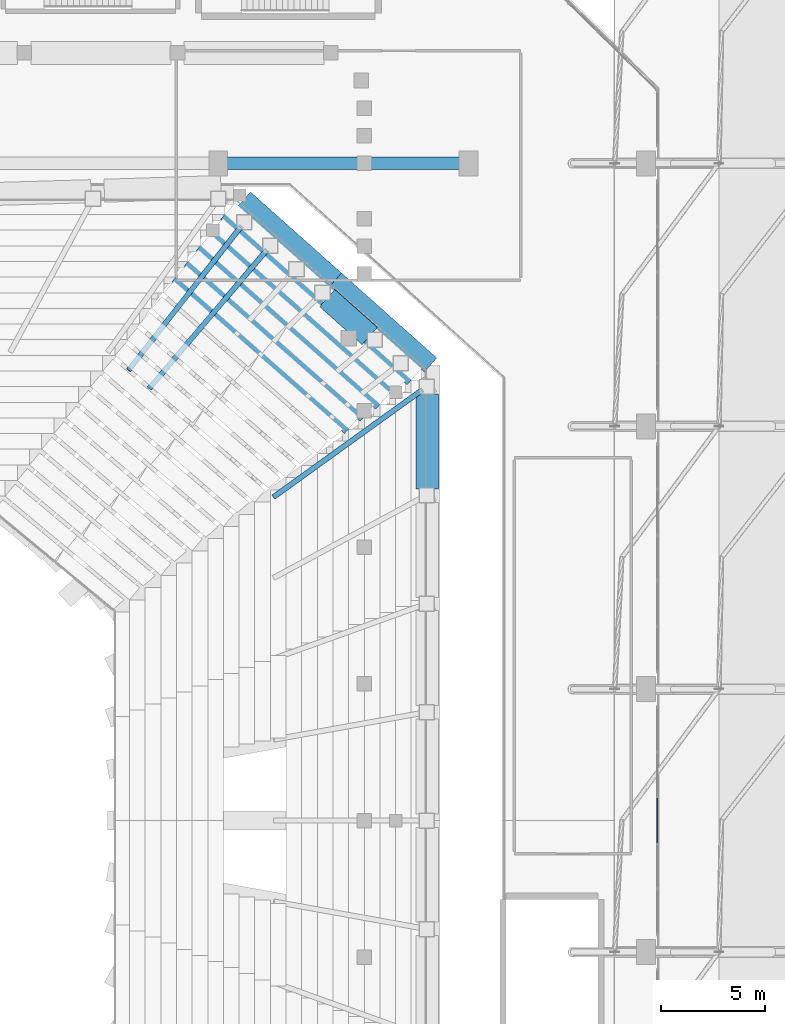
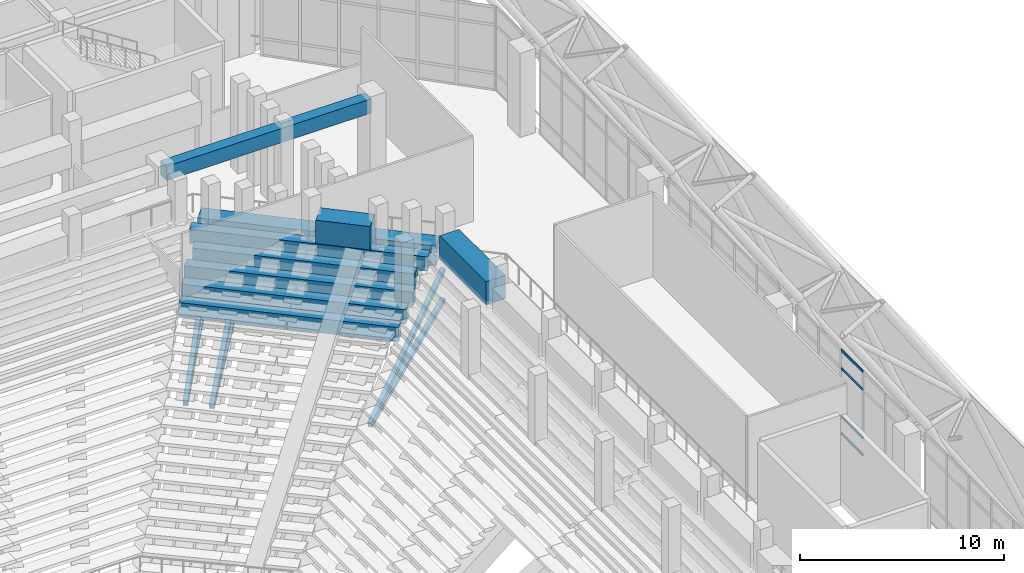
# One storey, part 52 of 159: 10 beams, 10 members, 1 element without a shape of its own.
"""IFC4 building model written with IfcOpenShell, lengths in metres."""

import ifcopenshell
import ifcopenshell.guid

model = None  # the IFC model being written
_history = None  # IfcOwnerHistory: only IFC2X3 demands one
_inside = {}  # id of a spatial element -> (the spatial element, [elements in it])
_under = {}  # id of a project, library or spatial element -> (it, [spatial elements below it])
_declared = {}  # id of a project -> (the project, [libraries it declares])
_typed = {}  # id of a type object -> (the type object, [elements of that type])
_made_of = {}  # id of a material, layer set ... -> (it, [elements and type objects made of it])


def new_model(schema):
    """Start an empty IFC model of exactly this schema.

    Asked for "IFC4X3", IfcOpenShell would pick the latest addendum, in which some entities
    have other attributes; the version numbers below select the first issue.
    IFC2X3 requires an IfcOwnerHistory on every rooted entity: one is made here for all.
    """
    global model, _history
    if schema == "IFC4X3":
        model = ifcopenshell.file(schema_version=(4, 3, 0, 0))
    else:
        model = ifcopenshell.file(schema=schema)
    _inside.clear()
    _under.clear()
    _declared.clear()
    _typed.clear()
    _made_of.clear()
    _history = None
    if model.schema == "IFC2X3":
        org = make("IfcOrganization", Name="unknown")
        user = make(
            "IfcPersonAndOrganization",
            ThePerson=make("IfcPerson", FamilyName="unknown"),
            TheOrganization=org,
        )
        app = make(
            "IfcApplication",
            ApplicationDeveloper=org,
            Version="unknown",
            ApplicationFullName="unknown",
            ApplicationIdentifier="unknown",
        )
        _history = make(
            "IfcOwnerHistory",
            OwningUser=user,
            OwningApplication=app,
            ChangeAction="ADDED",
            CreationDate=0,
        )
    return model


def make(cls, **values):
    """One entity of the class cls with the attributes given. An attribute that is None is left unset."""
    return model.create_entity(
        cls, **{name: value for name, value in values.items() if value is not None}
    )


def rooted(cls, **values):
    """An entity with a GlobalId (a new one), such as an element, a storey or a relation."""
    return make(cls, GlobalId=ifcopenshell.guid.new(), OwnerHistory=_history, **values)


def si_unit(unit_type, name, prefix=None):
    """IfcSIUnit, for example si_unit("LENGTHUNIT", "METRE", prefix="MILLI")."""
    return make("IfcSIUnit", UnitType=unit_type, Prefix=prefix, Name=name)


def derived_unit(unit_type, elements):
    """IfcDerivedUnit: a product of units, each with its exponent."""
    return make(
        "IfcDerivedUnit",
        Elements=[
            make("IfcDerivedUnitElement", Unit=unit, Exponent=power)
            for unit, power in elements
        ],
        UnitType=unit_type,
    )


def assignment(units):
    """IfcUnitAssignment: the units of a project."""
    return None if units is None else make("IfcUnitAssignment", Units=units)


def point(xyz):
    """IfcCartesianPoint."""
    return None if xyz is None else make("IfcCartesianPoint", Coordinates=xyz)


def direction(xyz):
    """IfcDirection."""
    return None if xyz is None else make("IfcDirection", DirectionRatios=xyz)


def frame(location, z_axis=None, x_axis=None):
    """IfcAxis2Placement3D, a coordinate frame: its origin and axes. An axis left out is left unset."""
    return make(
        "IfcAxis2Placement3D",
        Location=point(location),
        Axis=direction(z_axis),
        RefDirection=direction(x_axis),
    )


def frame_2d(location, x_axis=None):
    """IfcAxis2Placement2D, a coordinate frame in the plane: its origin and x axis."""
    return make(
        "IfcAxis2Placement2D", Location=point(location), RefDirection=direction(x_axis)
    )


def origin():
    """The frame at (0, 0, 0) with its axes left unset."""
    return frame((0.0, 0.0, 0.0))


def origin_2d():
    """The frame at (0, 0) in the plane with its x axis left unset."""
    return frame_2d((0.0, 0.0))


def place(relative_to, where):
    """IfcLocalPlacement: puts the frame where relative to a parent placement (None: the world)."""
    return make(
        "IfcLocalPlacement", PlacementRelTo=relative_to, RelativePlacement=where
    )


def context(
    kind, dimensions, precision=None, world=None, true_north=None, identifier=None
):
    """IfcGeometricRepresentationContext, for example the 3D "Model" context."""
    return make(
        "IfcGeometricRepresentationContext",
        ContextIdentifier=identifier,
        ContextType=kind,
        CoordinateSpaceDimension=dimensions,
        Precision=precision,
        WorldCoordinateSystem=world,
        TrueNorth=true_north,
    )


def subcontext(parent, identifier, kind, view, scale=None):
    """IfcGeometricRepresentationSubContext, for example "Body" below "Model"."""
    return make(
        "IfcGeometricRepresentationSubContext",
        ContextIdentifier=identifier,
        ContextType=kind,
        ParentContext=parent,
        TargetScale=scale,
        TargetView=view,
    )


def project(units=None, contexts=None):
    """IfcProject with its units and contexts."""
    return rooted(
        "IfcProject",
        Name="project",
        RepresentationContexts=contexts,
        UnitsInContext=assignment(units),
    )


def spatial(cls, under=None, at=None, **own):
    """A site, building, storey or space (cls), placed at a placement, below another one or the project."""
    s = rooted(cls, ObjectPlacement=at, **own)
    if under is not None:
        _under.setdefault(under.id(), (under, []))[1].append(s)
    return s


def profile(cls, at=None, kind="AREA", **sizes):
    """A parametric profile (cls). Its sizes go by their IFC names, for example OverallWidth=200.0."""
    return make(cls, ProfileType=kind, Position=at, **sizes)


def rectangle(**sizes):
    """IfcRectangleProfileDef."""
    return profile("IfcRectangleProfileDef", **sizes)


def hollow_rectangle(**sizes):
    """IfcRectangleHollowProfileDef."""
    return profile("IfcRectangleHollowProfileDef", **sizes)


def extrude(swept, where, along, depth):
    """IfcExtrudedAreaSolid: the profile swept, set in the frame where, extruded along a direction by depth."""
    return make(
        "IfcExtrudedAreaSolid",
        SweptArea=swept,
        Position=where,
        ExtrudedDirection=direction(along),
        Depth=depth,
    )


def shape(context_of_items, identifier, shape_type, items):
    """IfcShapeRepresentation: the items that make up one representation, for example the "Body"."""
    return make(
        "IfcShapeRepresentation",
        ContextOfItems=context_of_items,
        RepresentationIdentifier=identifier,
        RepresentationType=shape_type,
        Items=items,
    )


def material(Name=None, Category=None):
    """IfcMaterial."""
    return make("IfcMaterial", Name=Name, Category=Category)


def layer(
    of_material, thickness, ventilated=None, Name=None, Category=None, Priority=None
):
    """IfcMaterialLayer: one layer of a wall or slab, of a material (None: an air gap)."""
    return make(
        "IfcMaterialLayer",
        Material=of_material,
        LayerThickness=thickness,
        IsVentilated=ventilated,
        Name=Name,
        Category=Category,
        Priority=Priority,
    )


def layer_set(layers, Name=None):
    """IfcMaterialLayerSet."""
    return make("IfcMaterialLayerSet", MaterialLayers=layers, LayerSetName=Name)


def material_profile(
    of_material, cross_section, Name=None, Category=None, Priority=None
):
    """IfcMaterialProfile: a cross section and its material."""
    return make(
        "IfcMaterialProfile",
        Name=Name,
        Material=of_material,
        Profile=cross_section,
        Priority=Priority,
        Category=Category,
    )


def profile_set(profiles, Name=None, composite=None):
    """IfcMaterialProfileSet."""
    return make(
        "IfcMaterialProfileSet",
        Name=Name,
        MaterialProfiles=profiles,
        CompositeProfile=composite,
    )


def made_of(thing, what):
    """Note that an element or type object is made of a material, layer set ...; save() writes the relation."""
    if what is not None:
        _made_of.setdefault(what.id(), (what, []))[1].append(thing)
    return thing


def type_object(cls, material=None, **own):
    """A type object (cls), such as IfcWallType, which elements share."""
    return made_of(rooted(cls, **own), material)


def element(
    cls,
    number,
    at=None,
    inside=None,
    cuts=None,
    type_object=None,
    material=None,
    context=None,
    identifier="Body",
    shape_type=None,
    held_by="IfcProductDefinitionShape",
    body=None,
    shapes=None,
    **own,
):
    """One element of the class cls, such as IfcWall. Its Tag is "e" and its number.

    at: its placement. inside: the storey or other place that contains it. cuts: it is an
    opening in that element (IfcRelVoidsElement). A single representation is given by context,
    identifier, shape_type and body (its items); several are given by shapes. held_by: the class
    of the entity that holds the representations. save() writes the other relations.
    """
    e = rooted(cls, Tag="e%d" % number, ObjectPlacement=at, **own)
    if body is not None:
        shapes = [shape(context, identifier, shape_type, body)]
    if shapes is not None:
        e.Representation = make(held_by, Representations=shapes)
    if inside is not None:
        _inside.setdefault(inside.id(), (inside, []))[1].append(e)
    if cuts is not None:
        rooted(
            "IfcRelVoidsElement", RelatingBuildingElement=cuts, RelatedOpeningElement=e
        )
    if type_object is not None:
        _typed.setdefault(type_object.id(), (type_object, []))[1].append(e)
    return made_of(e, material)


def aggregate(whole, parts):
    """IfcRelAggregates: a whole, such as a stair, and the parts it consists of."""
    return rooted("IfcRelAggregates", RelatingObject=whole, RelatedObjects=parts)


def save(model, path):
    """Write the relations noted so far, then the file.

    IfcRelAggregates (storeys below a building ...), IfcRelContainedInSpatialStructure (elements
    in a storey), IfcRelDefinesByType, IfcRelAssociatesMaterial and IfcRelDeclares: one each for
    every whole, place, type object, material and project.
    """
    for whole, parts in _under.values():
        aggregate(whole, parts)
    for where, things in _inside.values():
        rooted(
            "IfcRelContainedInSpatialStructure",
            RelatedElements=things,
            RelatingStructure=where,
        )
    for kind, things in _typed.values():
        rooted("IfcRelDefinesByType", RelatedObjects=things, RelatingType=kind)
    for what, things in _made_of.values():
        rooted("IfcRelAssociatesMaterial", RelatedObjects=things, RelatingMaterial=what)
    for by, libraries in _declared.values():
        rooted("IfcRelDeclares", RelatingContext=by, RelatedDefinitions=libraries)
    model.write(path)


model = new_model("IFC4")

# Units and contexts
model_context = context("Model", 3, precision=1e-05, world=origin(), true_north=direction((0.0, 1.0)))
body_context = subcontext(model_context, "Body", "Model", "MODEL_VIEW")
ifc_project = project(units=[si_unit("LENGTHUNIT", "METRE"), si_unit("AREAUNIT", "SQUARE_METRE"), si_unit("VOLUMEUNIT", "CUBIC_METRE"), si_unit("PLANEANGLEUNIT", "RADIAN"), si_unit("MASSUNIT", "GRAM", prefix="KILO"), derived_unit("THERMALTRANSMITTANCEUNIT", [(si_unit("MASSUNIT", "GRAM", prefix="KILO"), 1), (si_unit("TIMEUNIT", "SECOND"), -3), (si_unit("THERMODYNAMICTEMPERATUREUNIT", "KELVIN"), -1)])], contexts=[model_context])

# Site, building, storey
site_placement = place(None, origin())
site = spatial("IfcSite", under=ifc_project, at=site_placement, CompositionType="ELEMENT")
building_placement = place(site_placement, origin())
building = spatial("IfcBuilding", under=site, at=building_placement, Name="Valcora Ridge Arena", CompositionType="ELEMENT")
storey_placement = place(building_placement, frame((0.0, 0.0, 6.0)))
storey = spatial("IfcBuildingStorey", under=building, at=storey_placement, Name="L01", CompositionType="ELEMENT", Elevation=6.0)

# Beams
ifc_material_1 = material(Name="Concrete C40/50", Category="concrete")
ifc_material_profile_1 = material_profile(ifc_material_1, rectangle(XDim=0.60009765625, YDim=0.85009765625, at=origin_2d()), Name="RC 600x850")
ifc_profile_set_1 = profile_set([ifc_material_profile_1], Name="Concrete C40/50")
beam_type_1 = type_object("IfcBeamType", Name="TY-BEAM-B-RC600-X", PredefinedType="BEAM", material=ifc_profile_set_1)
beam_1_placement = place(storey_placement, frame((88.25, 82.875, 0.574951171875), z_axis=(-0.751029040329, 0.660269172825, 0.0), x_axis=(-0.660269172825, -0.751029040329, 0.0)))
element("IfcBeam", 1, at=beam_1_placement, inside=storey, type_object=beam_type_1, Name="B-RC600-X BEM-R2-B-RC600-X-0174", PredefinedType="BEAM", context=body_context, shape_type="SweptSolid", body=[
    extrude(rectangle(XDim=0.60009765625, YDim=0.85009765625, at=origin_2d()), origin(), (0.0, 0.0, 1.0), 11.01806640625),
])
beam_2_placement = place(storey_placement, frame((89.0, 83.4599609375, 1.014892578125), z_axis=(-0.750149332152, 0.661268462481, 0.0), x_axis=(-0.661268462481, -0.750149332152, 0.0)))
element("IfcBeam", 2, at=beam_2_placement, inside=storey, type_object=beam_type_1, Name="B-RC600-X BEM-R2-B-RC600-X-0186", PredefinedType="BEAM", context=body_context, shape_type="SweptSolid", body=[
    extrude(rectangle(XDim=0.60009765625, YDim=0.85009765625, at=origin_2d()), origin(), (0.0, 0.0, 1.0), 11.2509765625),
])
beam_3_placement = place(storey_placement, frame((89.75, 84.044921875, 1.455078125), z_axis=(-0.749304061894, 0.662226111558, 0.0), x_axis=(-0.662226111558, -0.749304061894, 0.0)))
element("IfcBeam", 3, at=beam_3_placement, inside=storey, type_object=beam_type_1, Name="B-RC600-X BEM-R2-B-RC600-X-0198", PredefinedType="BEAM", context=body_context, shape_type="SweptSolid", body=[
    extrude(rectangle(XDim=0.60009765625, YDim=0.85009765625, at=origin_2d()), origin(), (0.0, 0.0, 1.0), 11.48388671875),
])
beam_4_placement = place(storey_placement, frame((90.290283203125, 84.815673828125, 1.89501953125), z_axis=(-0.748479246589, 0.663158214475, 0.0), x_axis=(-0.663158214475, -0.748479246589, 0.0)))
element("IfcBeam", 4, at=beam_4_placement, inside=storey, type_object=beam_type_1, Name="B-RC600-X BEM-R2-B-RC600-X-0210", PredefinedType="BEAM", context=body_context, shape_type="SweptSolid", body=[
    extrude(rectangle(XDim=0.60009765625, YDim=0.85009765625, at=origin_2d()), origin(), (0.0, 0.0, 1.0), 11.15673828125),
])
beam_5_placement = place(storey_placement, frame((91.25, 85.215087890625, 2.3349609375), z_axis=(-0.747719218895, 0.664015037251, 0.0), x_axis=(-0.664015037251, -0.747719218895, 0.0)))
element("IfcBeam", 5, at=beam_5_placement, inside=storey, type_object=beam_type_1, Name="B-RC600-X BEM-R2-B-RC600-X-0222", PredefinedType="BEAM", context=body_context, shape_type="SweptSolid", body=[
    extrude(rectangle(XDim=0.60009765625, YDim=0.85009765625, at=origin_2d()), origin(), (0.0, 0.0, 1.0), 11.94970703125),
])
ifc_material_profile_2 = material_profile(ifc_material_1, rectangle(XDim=0.60009765625, YDim=0.85009765625, at=origin_2d()), Name="RC 600x850")
ifc_profile_set_2 = profile_set([ifc_material_profile_2], Name="Concrete C40/50")
beam_type_2 = type_object("IfcBeamType", Name="TY-BEAM-EB-RC600", PredefinedType="BEAM", material=ifc_profile_set_2)
beam_6_placement = place(storey_placement, frame((82.199951171875, 95.60009765625, 4.614990234375), z_axis=(1.0, 0.0, 0.0), x_axis=(0.0, 1.0, 0.0)))
element("IfcBeam", 6, at=beam_6_placement, inside=storey, type_object=beam_type_2, Name="EB-RC600 BEM-EB-RC600-0030", PredefinedType="BEAM", context=body_context, shape_type="SweptSolid", body=[
    extrude(rectangle(XDim=0.60009765625, YDim=0.85009765625, at=origin_2d()), origin(), (0.0, 0.0, 1.0), 11.60009765625),
])
ifc_material_2 = material(Name="Concrete C45/55", Category="concrete")
ifc_material_profile_3 = material_profile(ifc_material_2, rectangle(XDim=0.89990234375, YDim=1.199951171875, at=origin_2d()), Name="RC 900x1200")
ifc_profile_set_3 = profile_set([ifc_material_profile_3], Name="Concrete C45/55")
beam_type_3 = type_object("IfcBeamType", Name="TY-BEAM-RKR-RING-850", PredefinedType="USERDEFINED", material=ifc_profile_set_3)
beam_7_placement = place(storey_placement, frame((92.179931640625, 85.9404296875, 2.159912109375), z_axis=(-0.746779446609, 0.665071769151, 0.0), x_axis=(-0.665071769151, -0.746779446609, 0.0)))
element("IfcBeam", 7, at=beam_7_placement, inside=storey, type_object=beam_type_3, Name="RKR-RING-850 BEM-R2-RKR-RING-850-0007", ObjectType="RAKER", PredefinedType="USERDEFINED", context=body_context, shape_type="SweptSolid", body=[
    extrude(rectangle(XDim=0.89990234375, YDim=1.199951171875, at=origin_2d()), origin(), (0.0, 0.0, 1.0), 6.119384765625),
])
beam_8_placement = place(storey_placement, frame((87.610107421875, 90.01025390625, 2.159912109375), z_axis=(-0.746774614076, 0.665077195348, 0.0), x_axis=(-0.665077195348, -0.746774614076, 0.0)))
element("IfcBeam", 8, at=beam_8_placement, inside=storey, type_object=beam_type_3, Name="RKR-RING-850 BEM-R2-RKR-RING-850-0008", ObjectType="RAKER", PredefinedType="USERDEFINED", context=body_context, shape_type="SweptSolid", body=[
    extrude(rectangle(XDim=0.89990234375, YDim=1.199951171875, at=origin_2d()), origin(), (0.0, 0.0, 1.0), 5.83935546875),
])
ifc_material_profile_4 = material_profile(ifc_material_2, rectangle(XDim=1.10009765625, YDim=1.39990234375, at=origin_2d()), Name="RC 1100x1400")
ifc_profile_set_4 = profile_set([ifc_material_profile_4], Name="Concrete C45/55")
beam_type_4 = type_object("IfcBeamType", Name="TY-BEAM-RKR-URING-1100", PredefinedType="USERDEFINED", material=ifc_profile_set_4)
beam_9_placement = place(storey_placement, frame((92.01953125, 79.99365234375, 3.47509765625), z_axis=(0.0, 1.0, 0.0), x_axis=(-1.0, 0.0, 0.0)))
element("IfcBeam", 9, at=beam_9_placement, inside=storey, type_object=beam_type_4, Name="RKR-URING-1100 BEM-RU2-RKR-URING-1100-0020", ObjectType="RAKER", PredefinedType="USERDEFINED", context=body_context, shape_type="SweptSolid", body=[
    extrude(rectangle(XDim=1.10009765625, YDim=1.39990234375, at=origin_2d()), origin(), (0.0, 0.0, 1.0), 4.55126953125),
])
beam_10_placement = place(storey_placement, frame((89.2646484375, 87.325439453125, 3.47509765625), z_axis=(-0.745855261758, 0.666108045672, 0.0), x_axis=(-0.666108045672, -0.745855261758, 0.0)))
element("IfcBeam", 10, at=beam_10_placement, inside=storey, type_object=beam_type_4, Name="RKR-URING-1100 BEM-RU2-RKR-URING-1100-0021", ObjectType="RAKER", PredefinedType="USERDEFINED", context=body_context, shape_type="SweptSolid", body=[
    extrude(rectangle(XDim=1.10009765625, YDim=1.39990234375, at=origin_2d()), origin(), (0.0, 0.0, 1.0), 2.73388671875),
])

# Curtain wall, members
ifc_material_3 = material(Name="Anodised dark bronze architectural aluminium 6063-T6", Category="aluminium")
ifc_layer = layer(ifc_material_3, 0.14990234375, Name="Anodised dark bronze architectural aluminium 6063-T6")
ifc_layer_set = layer_set([ifc_layer], Name="Anodised dark bronze architectural aluminium 6063-T6")
curtain_wall_type = type_object("IfcCurtainWallType", Name="TY-CURTAINWALL-CW-V1-EAST-109X50", PredefinedType="NOTDEFINED", material=ifc_layer_set)
curtain_wall_placement = place(storey_placement, origin())
curtain_wall = element("IfcCurtainWall", 11, at=curtain_wall_placement, inside=storey, type_object=curtain_wall_type, Name="CW-V1-EAST-109X50 CW-0109", PredefinedType="NOTDEFINED")
ifc_material_profile_5 = material_profile(ifc_material_3, rectangle(XDim=0.050048828125, YDim=0.14990234375, at=origin_2d()), Name="ALU TRANSOM 50x150")
ifc_profile_set_5 = profile_set([ifc_material_profile_5], Name="Anodised dark bronze architectural aluminium 6063-T6")
member_type_1 = type_object("IfcMemberType", Name="TY-MEM-CWT-50x150", PredefinedType="USERDEFINED", material=ifc_profile_set_5)
member_1_placement = place(storey_placement, frame((103.050048828125, 63.032958984375, 0.02490234375), z_axis=(0.0, 1.0, 0.0), x_axis=(-1.0, 0.0, 0.0)))
member_1 = element("IfcMember", 12, at=member_1_placement, type_object=member_type_1, Name="CW-0109/CWT-50x150/T02-00", ObjectType="TRANSOM", PredefinedType="USERDEFINED", context=body_context, shape_type="SweptSolid", body=[
    extrude(rectangle(XDim=0.050048828125, YDim=0.14990234375, at=origin_2d()), origin(), (0.0, 0.0, 1.0), 2.134033203125),
])
member_2_placement = place(storey_placement, frame((103.050048828125, 63.032958984375, 1.050048828125), z_axis=(0.0, 1.0, 0.0), x_axis=(-1.0, 0.0, 0.0)))
member_2 = element("IfcMember", 13, at=member_2_placement, type_object=member_type_1, Name="CW-0109/CWT-50x150/T02-01", ObjectType="TRANSOM", PredefinedType="USERDEFINED", context=body_context, shape_type="SweptSolid", body=[
    extrude(rectangle(XDim=0.050048828125, YDim=0.14990234375, at=origin_2d()), origin(), (0.0, 0.0, 1.0), 2.134033203125),
])
member_3_placement = place(storey_placement, frame((103.050048828125, 63.032958984375, 3.93994140625), z_axis=(0.0, 1.0, 0.0), x_axis=(-1.0, 0.0, 0.0)))
member_3 = element("IfcMember", 14, at=member_3_placement, type_object=member_type_1, Name="CW-0109/CWT-50x150/T02-02", ObjectType="TRANSOM", PredefinedType="USERDEFINED", context=body_context, shape_type="SweptSolid", body=[
    extrude(rectangle(XDim=0.050048828125, YDim=0.14990234375, at=origin_2d()), origin(), (0.0, 0.0, 1.0), 2.134033203125),
])
member_4_placement = place(storey_placement, frame((103.050048828125, 63.032958984375, 5.014892578125), z_axis=(0.0, 1.0, 0.0), x_axis=(-1.0, 0.0, 0.0)))
member_4 = element("IfcMember", 15, at=member_4_placement, type_object=member_type_1, Name="CW-0109/CWT-50x150/T02-03", ObjectType="TRANSOM", PredefinedType="USERDEFINED", context=body_context, shape_type="SweptSolid", body=[
    extrude(rectangle(XDim=0.050048828125, YDim=0.14990234375, at=origin_2d()), origin(), (0.0, 0.0, 1.0), 2.134033203125),
])
aggregate(curtain_wall, [member_1, member_2, member_3, member_4])

# Members
ifc_material_4 = material(Name="Steel ASTM A500 Grade C", Category="steel")
ifc_material_profile_6 = material_profile(ifc_material_4, hollow_rectangle(XDim=0.25, YDim=0.25, WallThickness=0.012451171875, at=origin_2d()), Name="HSS250X250X12")
ifc_profile_set_6 = profile_set([ifc_material_profile_6], Name="Steel ASTM A500 Grade C")
member_type_2 = type_object("IfcMemberType", Name="TY-MEMBER-RKRC-253", PredefinedType="CHORD", material=ifc_profile_set_6)
member_5_placement = place(storey_placement, frame((84.68994140625, 79.63671875, -1.8466796875), z_axis=(0.791357266691, 0.569791405255, 0.221565861436), x_axis=(-0.584314298042, 0.811527449384, 0.0)))
element("IfcMember", 16, at=member_5_placement, inside=storey, type_object=member_type_2, Name="RKRC-253 MBR-RK-RKRC-253-0024", PredefinedType="CHORD", context=body_context, shape_type="SweptSolid", body=[
    extrude(hollow_rectangle(XDim=0.25, YDim=0.25, WallThickness=0.012451171875, at=origin_2d()), origin(), (0.0, 0.0, 1.0), 8.957275390625),
])
member_6_placement = place(storey_placement, frame((78.726318359375, 84.853271484375, -1.84619140625), z_axis=(0.63102107054, 0.742829471348, 0.223644327072), x_axis=(-0.762133689786, 0.647419677561, 0.0)))
element("IfcMember", 17, at=member_6_placement, inside=storey, type_object=member_type_2, Name="RKRC-253 MBR-RK-RKRC-253-0029", PredefinedType="CHORD", context=body_context, shape_type="SweptSolid", body=[
    extrude(hollow_rectangle(XDim=0.25, YDim=0.25, WallThickness=0.012451171875, at=origin_2d()), origin(), (0.0, 0.0, 1.0), 8.86962890625),
])
member_7_placement = place(storey_placement, frame((77.731689453125, 85.7216796875, -1.846435546875), z_axis=(0.600703415126, 0.767806090065, 0.222776154729), x_axis=(-0.787598742153, 0.616188462533, 0.0)))
element("IfcMember", 18, at=member_7_placement, inside=storey, type_object=member_type_2, Name="RKRC-253 MBR-RK-RKRC-253-0030", PredefinedType="CHORD", context=body_context, shape_type="SweptSolid", body=[
    extrude(hollow_rectangle(XDim=0.25, YDim=0.25, WallThickness=0.012451171875, at=origin_2d()), origin(), (0.0, 0.0, 1.0), 8.906494140625),
])
ifc_material_profile_7 = material_profile(ifc_material_4, hollow_rectangle(XDim=0.25, YDim=0.25, WallThickness=0.012451171875, at=origin_2d()), Name="HSS250X250X12")
ifc_profile_set_7 = profile_set([ifc_material_profile_7], Name="Steel ASTM A500 Grade C")
member_type_3 = type_object("IfcMemberType", Name="TY-MEMBER-RKRD-253", PredefinedType="BRACE", material=ifc_profile_set_7)
member_8_placement = place(storey_placement, frame((84.679443359375, 79.629150390625, -1.756591796875), z_axis=(0.747680268114, 0.538344168053, 0.388792712633), x_axis=(-0.584315001442, 0.811526942923, 0.0)))
element("IfcMember", 19, at=member_8_placement, inside=storey, type_object=member_type_3, Name="RKRD-253 Raker Diagonal Brace", PredefinedType="BRACE", context=body_context, shape_type="SweptSolid", body=[
    extrude(hollow_rectangle(XDim=0.25, YDim=0.25, WallThickness=0.012451171875, at=origin_2d()), origin(), (0.0, 0.0, 1.0), 9.5107421875),
])
member_9_placement = place(storey_placement, frame((78.718017578125, 84.84326171875, -1.755859375), z_axis=(0.595587341236, 0.701135776144, 0.392025946042), x_axis=(-0.762142078554, 0.647409802287, 0.0)))
element("IfcMember", 20, at=member_9_placement, inside=storey, type_object=member_type_3, Name="RKRD-253 Raker Diagonal Brace", PredefinedType="BRACE", context=body_context, shape_type="SweptSolid", body=[
    extrude(hollow_rectangle(XDim=0.25, YDim=0.25, WallThickness=0.012451171875, at=origin_2d()), origin(), (0.0, 0.0, 1.0), 9.427978515625),
])
member_10_placement = place(storey_placement, frame((77.7236328125, 85.71142578125, -1.756103515625), z_axis=(0.56723559098, 0.725001698451, 0.390661389913), x_axis=(-0.787587793591, 0.616202456492, 0.0)))
element("IfcMember", 21, at=member_10_placement, inside=storey, type_object=member_type_3, Name="RKRD-253 Raker Diagonal Brace", PredefinedType="BRACE", context=body_context, shape_type="SweptSolid", body=[
    extrude(hollow_rectangle(XDim=0.25, YDim=0.25, WallThickness=0.012451171875, at=origin_2d()), origin(), (0.0, 0.0, 1.0), 9.462890625),
])

save(model, "model.ifc")
